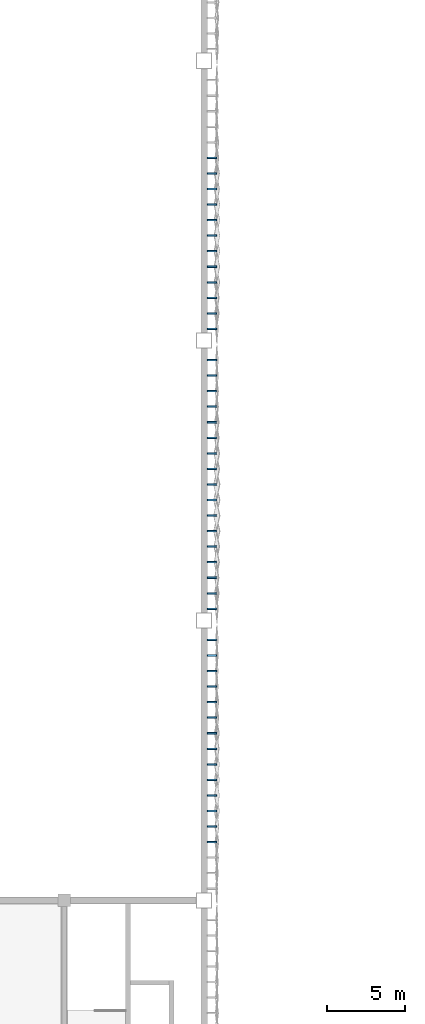
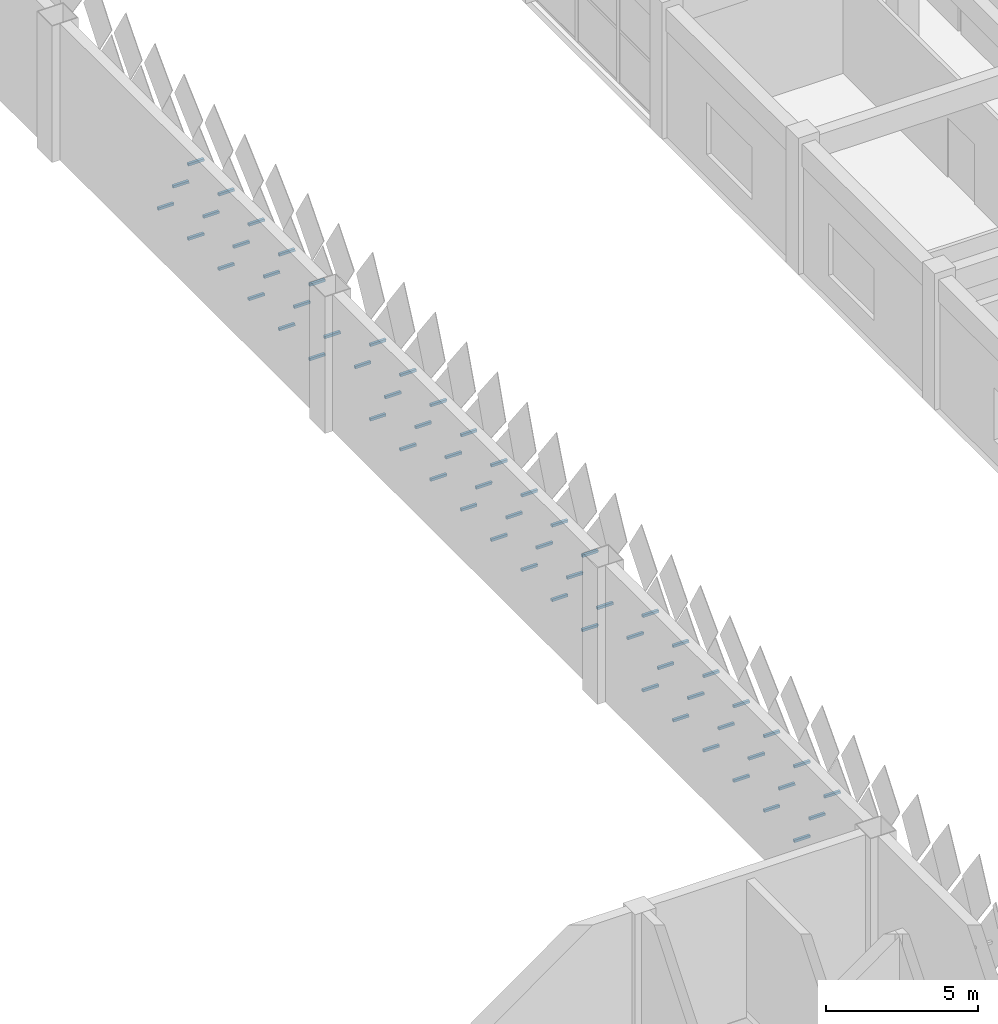
# One storey, part 143 of 185: 62 discrete accessories.
"""IFC4 building model written with IfcOpenShell, lengths in metres."""

from ifc_helpers import new_model, si_unit, direction, frame, origin, place, context, subcontext, project, spatial, polyline, outline, extrude, material, type_object, element, save


model = new_model("IFC4")

# Units and contexts
model_context = context("Model", 3, precision=1e-05, world=origin(), true_north=direction((0.0, 1.0)))
body_context = subcontext(model_context, "Body", "Model", "MODEL_VIEW")
ifc_project = project(units=[si_unit("LENGTHUNIT", "METRE"), si_unit("AREAUNIT", "SQUARE_METRE"), si_unit("VOLUMEUNIT", "CUBIC_METRE"), si_unit("PLANEANGLEUNIT", "RADIAN"), si_unit("MASSUNIT", "GRAM", prefix="KILO")], contexts=[model_context])

# Site, building, storey
site_placement = place(None, origin())
site = spatial("IfcSite", under=ifc_project, at=site_placement, CompositionType="ELEMENT")
building_placement = place(site_placement, origin())
building = spatial("IfcBuilding", under=site, at=building_placement, Name="Opaline Strait Convention Centre", CompositionType="ELEMENT")
storey_placement = place(building_placement, frame((0.0, 0.0, 6.0)))
storey = spatial("IfcBuildingStorey", under=building, at=storey_placement, Name="L01", CompositionType="ELEMENT", Elevation=6.0)

# Discrete accessories
ifc_material = material(Name="Steel Q355B", Category="steel")
discrete_accessory_type = type_object("IfcDiscreteAccessoryType", Name="Tile bracket 100x100 steel", PredefinedType="BRACKET", material=ifc_material)
discrete_accessory_1_placement = place(storey_placement, frame((261.199951171875, 77.699951171875, 1.39208984375), z_axis=(0.0, 1.0, 0.0), x_axis=(-1.0, 0.0, 0.0)))
element("IfcDiscreteAccessory", 1, at=discrete_accessory_1_placement, inside=storey, type_object=discrete_accessory_type, Name="Tile bracket XT14 E", PredefinedType="BRACKET", context=body_context, shape_type="SweptSolid", body=[
    extrude(outline(polyline([(0.0, -0.050048828125), (0.0, 0.050048828125), (-0.59375, 0.050048828125), (-0.606201171875, -0.050048828125), (0.0, -0.050048828125)])), origin(), (0.0, 0.0, 1.0), 0.10009765625),
])
discrete_accessory_2_placement = place(storey_placement, frame((261.199951171875, 79.699951171875, 1.39208984375), z_axis=(0.0, 1.0, 0.0), x_axis=(-1.0, 0.0, 0.0)))
element("IfcDiscreteAccessory", 2, at=discrete_accessory_2_placement, inside=storey, type_object=discrete_accessory_type, Name="Tile bracket XT13 E", PredefinedType="BRACKET", context=body_context, shape_type="SweptSolid", body=[
    extrude(outline(polyline([(0.0, -0.050048828125), (0.0, 0.050048828125), (-0.59423828125, 0.050048828125), (-0.605712890625, -0.050048828125), (0.0, -0.050048828125)])), origin(), (0.0, 0.0, 1.0), 0.10009765625),
])
discrete_accessory_3_placement = place(storey_placement, frame((261.199951171875, 81.699951171875, 1.39208984375), z_axis=(0.0, 1.0, 0.0), x_axis=(-1.0, 0.0, 0.0)))
element("IfcDiscreteAccessory", 3, at=discrete_accessory_3_placement, inside=storey, type_object=discrete_accessory_type, Name="Tile bracket XT10 E", PredefinedType="BRACKET", context=body_context, shape_type="SweptSolid", body=[
    extrude(outline(polyline([(0.0, -0.050048828125), (0.0, 0.050048828125), (-0.595703125, 0.050048828125), (-0.604248046875, -0.050048828125), (0.0, -0.050048828125)])), origin(), (0.0, 0.0, 1.0), 0.10009765625),
])
discrete_accessory_4_placement = place(storey_placement, frame((261.199951171875, 83.699951171875, 1.39208984375), z_axis=(0.0, 1.0, 0.0), x_axis=(-1.0, 0.0, 0.0)))
element("IfcDiscreteAccessory", 4, at=discrete_accessory_4_placement, inside=storey, type_object=discrete_accessory_type, Name="Tile bracket XT07 E", PredefinedType="BRACKET", context=body_context, shape_type="SweptSolid", body=[
    extrude(outline(polyline([(0.0, -0.050048828125), (0.0, 0.050048828125), (-0.596923828125, 0.050048828125), (-0.60302734375, -0.050048828125), (0.0, -0.050048828125)])), origin(), (0.0, 0.0, 1.0), 0.10009765625),
])
discrete_accessory_5_placement = place(storey_placement, frame((261.199951171875, 85.699951171875, 1.39208984375), z_axis=(0.0, 1.0, 0.0), x_axis=(-1.0, 0.0, 0.0)))
element("IfcDiscreteAccessory", 5, at=discrete_accessory_5_placement, inside=storey, type_object=discrete_accessory_type, Name="Tile bracket XT05 E", PredefinedType="BRACKET", context=body_context, shape_type="SweptSolid", body=[
    extrude(outline(polyline([(0.0, -0.050048828125), (0.0, 0.050048828125), (-0.597900390625, 0.050048828125), (-0.602294921875, -0.050048828125), (0.0, -0.050048828125)])), origin(), (0.0, 0.0, 1.0), 0.10009765625),
])
discrete_accessory_6_placement = place(storey_placement, frame((261.199951171875, 87.699951171875, 1.39208984375), z_axis=(0.0, 1.0, 0.0), x_axis=(-1.0, 0.0, 0.0)))
element("IfcDiscreteAccessory", 6, at=discrete_accessory_6_placement, inside=storey, type_object=discrete_accessory_type, Name="Tile bracket XT06 E", PredefinedType="BRACKET", context=body_context, shape_type="SweptSolid", body=[
    extrude(outline(polyline([(0.0, -0.050048828125), (0.0, 0.050048828125), (-0.6025390625, 0.050048828125), (-0.597412109375, -0.050048828125), (0.0, -0.050048828125)])), origin(), (0.0, 0.0, 1.0), 0.10009765625),
])
discrete_accessory_7_placement = place(storey_placement, frame((261.199951171875, 91.699951171875, 1.39208984375), z_axis=(0.0, 1.0, 0.0), x_axis=(-1.0, 0.0, 0.0)))
element("IfcDiscreteAccessory", 7, at=discrete_accessory_7_placement, inside=storey, type_object=discrete_accessory_type, Name="Tile bracket XT13 E", PredefinedType="BRACKET", context=body_context, shape_type="SweptSolid", body=[
    extrude(outline(polyline([(0.0, -0.050048828125), (0.0, 0.050048828125), (-0.605712890625, 0.050048828125), (-0.59423828125, -0.050048828125), (0.0, -0.050048828125)])), origin(), (0.0, 0.0, 1.0), 0.10009765625),
])
discrete_accessory_8_placement = place(storey_placement, frame((261.199951171875, 93.699951171875, 1.39208984375), z_axis=(0.0, 1.0, 0.0), x_axis=(-1.0, 0.0, 0.0)))
element("IfcDiscreteAccessory", 8, at=discrete_accessory_8_placement, inside=storey, type_object=discrete_accessory_type, Name="Tile bracket XT15 E", PredefinedType="BRACKET", context=body_context, shape_type="SweptSolid", body=[
    extrude(outline(polyline([(0.0, -0.050048828125), (0.0, 0.050048828125), (-0.606689453125, 0.050048828125), (-0.593505859375, -0.050048828125), (0.0, -0.050048828125)])), origin(), (0.0, 0.0, 1.0), 0.10009765625),
])
discrete_accessory_9_placement = place(storey_placement, frame((261.199951171875, 95.699951171875, 1.39208984375), z_axis=(0.0, 1.0, 0.0), x_axis=(-1.0, 0.0, 0.0)))
element("IfcDiscreteAccessory", 9, at=discrete_accessory_9_placement, inside=storey, type_object=discrete_accessory_type, Name="Tile bracket XT17 E", PredefinedType="BRACKET", context=body_context, shape_type="SweptSolid", body=[
    extrude(outline(polyline([(0.0, -0.050048828125), (0.0, 0.050048828125), (-0.607421875, 0.050048828125), (-0.592529296875, -0.050048828125), (0.0, -0.050048828125)])), origin(), (0.0, 0.0, 1.0), 0.10009765625),
])
discrete_accessory_10_placement = place(storey_placement, frame((261.199951171875, 97.699951171875, 1.39208984375), z_axis=(0.0, 1.0, 0.0), x_axis=(-1.0, 0.0, 0.0)))
element("IfcDiscreteAccessory", 10, at=discrete_accessory_10_placement, inside=storey, type_object=discrete_accessory_type, Name="Tile bracket XT16 E", PredefinedType="BRACKET", context=body_context, shape_type="SweptSolid", body=[
    extrude(outline(polyline([(0.0, -0.050048828125), (0.0, 0.050048828125), (-0.60693359375, 0.050048828125), (-0.593017578125, -0.050048828125), (0.0, -0.050048828125)])), origin(), (0.0, 0.0, 1.0), 0.10009765625),
])
discrete_accessory_11_placement = place(storey_placement, frame((261.199951171875, 99.699951171875, 1.39208984375), z_axis=(0.0, 1.0, 0.0), x_axis=(-1.0, 0.0, 0.0)))
element("IfcDiscreteAccessory", 11, at=discrete_accessory_11_placement, inside=storey, type_object=discrete_accessory_type, Name="Tile bracket XT13 E", PredefinedType="BRACKET", context=body_context, shape_type="SweptSolid", body=[
    extrude(outline(polyline([(0.0, -0.050048828125), (0.0, 0.050048828125), (-0.605712890625, 0.050048828125), (-0.59423828125, -0.050048828125), (0.0, -0.050048828125)])), origin(), (0.0, 0.0, 1.0), 0.10009765625),
])
discrete_accessory_12_placement = place(storey_placement, frame((261.199951171875, 101.699951171875, 1.39208984375), z_axis=(0.0, 1.0, 0.0), x_axis=(-1.0, 0.0, 0.0)))
element("IfcDiscreteAccessory", 12, at=discrete_accessory_12_placement, inside=storey, type_object=discrete_accessory_type, Name="Tile bracket XT08 E", PredefinedType="BRACKET", context=body_context, shape_type="SweptSolid", body=[
    extrude(outline(polyline([(0.0, -0.050048828125), (0.0, 0.050048828125), (-0.603515625, 0.050048828125), (-0.596435546875, -0.050048828125), (0.0, -0.050048828125)])), origin(), (0.0, 0.0, 1.0), 0.10009765625),
])
discrete_accessory_13_placement = place(storey_placement, frame((261.199951171875, 103.699951171875, 1.39208984375), z_axis=(0.0, 1.0, 0.0), x_axis=(-1.0, 0.0, 0.0)))
element("IfcDiscreteAccessory", 13, at=discrete_accessory_13_placement, inside=storey, type_object=discrete_accessory_type, Name="Tile bracket XT06 E", PredefinedType="BRACKET", context=body_context, shape_type="SweptSolid", body=[
    extrude(outline(polyline([(0.0, -0.050048828125), (0.0, 0.050048828125), (-0.6025390625, 0.050048828125), (-0.597412109375, -0.050048828125), (0.0, -0.050048828125)])), origin(), (0.0, 0.0, 1.0), 0.10009765625),
])
discrete_accessory_14_placement = place(storey_placement, frame((261.199951171875, 105.699951171875, 1.39208984375), z_axis=(0.0, 1.0, 0.0), x_axis=(-1.0, 0.0, 0.0)))
element("IfcDiscreteAccessory", 14, at=discrete_accessory_14_placement, inside=storey, type_object=discrete_accessory_type, Name="Tile bracket XT06 E", PredefinedType="BRACKET", context=body_context, shape_type="SweptSolid", body=[
    extrude(outline(polyline([(0.0, -0.050048828125), (0.0, 0.050048828125), (-0.597412109375, 0.050048828125), (-0.6025390625, -0.050048828125), (0.0, -0.050048828125)])), origin(), (0.0, 0.0, 1.0), 0.10009765625),
])
discrete_accessory_15_placement = place(storey_placement, frame((261.199951171875, 109.699951171875, 1.39208984375), z_axis=(0.0, 1.0, 0.0), x_axis=(-1.0, 0.0, 0.0)))
element("IfcDiscreteAccessory", 15, at=discrete_accessory_15_placement, inside=storey, type_object=discrete_accessory_type, Name="Tile bracket XT13 E", PredefinedType="BRACKET", context=body_context, shape_type="SweptSolid", body=[
    extrude(outline(polyline([(0.0, -0.050048828125), (0.0, 0.050048828125), (-0.59423828125, 0.050048828125), (-0.605712890625, -0.050048828125), (0.0, -0.050048828125)])), origin(), (0.0, 0.0, 1.0), 0.10009765625),
])
for number, where, z_axis, x_axis, name in (
    (16, (261.199951171875, 111.699951171875, 1.39208984375), (0.0, 1.0, 0.0), (-1.0, 0.0, 0.0), "Tile bracket XT16 E"),
    (17, (261.199951171875, 113.699951171875, 1.39208984375), (0.0, 1.0, 0.0), (-1.0, 0.0, 0.0), "Tile bracket XT16 E"),
):
    element("IfcDiscreteAccessory", number, at=place(storey_placement, frame(where, z_axis=z_axis, x_axis=x_axis)), inside=storey, type_object=discrete_accessory_type, Name=name, PredefinedType="BRACKET", context=body_context, shape_type="SweptSolid", body=[
        extrude(outline(polyline([(0.0, -0.050048828125), (0.0, 0.050048828125), (-0.593017578125, 0.050048828125), (-0.60693359375, -0.050048828125), (0.0, -0.050048828125)])), origin(), (0.0, 0.0, 1.0), 0.10009765625),
    ])
discrete_accessory_16_placement = place(storey_placement, frame((261.199951171875, 115.699951171875, 1.39208984375), z_axis=(0.0, 1.0, 0.0), x_axis=(-1.0, 0.0, 0.0)))
element("IfcDiscreteAccessory", 18, at=discrete_accessory_16_placement, inside=storey, type_object=discrete_accessory_type, Name="Tile bracket XT15 E", PredefinedType="BRACKET", context=body_context, shape_type="SweptSolid", body=[
    extrude(outline(polyline([(0.0, -0.050048828125), (0.0, 0.050048828125), (-0.593505859375, 0.050048828125), (-0.606689453125, -0.050048828125), (0.0, -0.050048828125)])), origin(), (0.0, 0.0, 1.0), 0.10009765625),
])
discrete_accessory_17_placement = place(storey_placement, frame((261.199951171875, 117.699951171875, 1.39208984375), z_axis=(0.0, 1.0, 0.0), x_axis=(-1.0, 0.0, 0.0)))
element("IfcDiscreteAccessory", 19, at=discrete_accessory_17_placement, inside=storey, type_object=discrete_accessory_type, Name="Tile bracket XT12 E", PredefinedType="BRACKET", context=body_context, shape_type="SweptSolid", body=[
    extrude(outline(polyline([(0.0, -0.050048828125), (0.0, 0.050048828125), (-0.5947265625, 0.050048828125), (-0.605224609375, -0.050048828125), (0.0, -0.050048828125)])), origin(), (0.0, 0.0, 1.0), 0.10009765625),
])
discrete_accessory_18_placement = place(storey_placement, frame((261.199951171875, 119.699951171875, 1.39208984375), z_axis=(0.0, 1.0, 0.0), x_axis=(-1.0, 0.0, 0.0)))
element("IfcDiscreteAccessory", 20, at=discrete_accessory_18_placement, inside=storey, type_object=discrete_accessory_type, Name="Tile bracket XT07 E", PredefinedType="BRACKET", context=body_context, shape_type="SweptSolid", body=[
    extrude(outline(polyline([(0.0, -0.050048828125), (0.0, 0.050048828125), (-0.596923828125, 0.050048828125), (-0.60302734375, -0.050048828125), (0.0, -0.050048828125)])), origin(), (0.0, 0.0, 1.0), 0.10009765625),
])
discrete_accessory_19_placement = place(storey_placement, frame((261.199951171875, 76.699951171875, 2.89208984375), z_axis=(0.0, 1.0, 0.0), x_axis=(-1.0, 0.0, 0.0)))
element("IfcDiscreteAccessory", 21, at=discrete_accessory_19_placement, inside=storey, type_object=discrete_accessory_type, Name="Tile bracket XT12 E", PredefinedType="BRACKET", context=body_context, shape_type="SweptSolid", body=[
    extrude(outline(polyline([(0.0, -0.050048828125), (0.0, 0.050048828125), (-0.5947265625, 0.050048828125), (-0.605224609375, -0.050048828125), (0.0, -0.050048828125)])), origin(), (0.0, 0.0, 1.0), 0.10009765625),
])
discrete_accessory_20_placement = place(storey_placement, frame((261.199951171875, 78.699951171875, 2.89208984375), z_axis=(0.0, 1.0, 0.0), x_axis=(-1.0, 0.0, 0.0)))
element("IfcDiscreteAccessory", 22, at=discrete_accessory_20_placement, inside=storey, type_object=discrete_accessory_type, Name="Tile bracket XT14 E", PredefinedType="BRACKET", context=body_context, shape_type="SweptSolid", body=[
    extrude(outline(polyline([(0.0, -0.050048828125), (0.0, 0.050048828125), (-0.59375, 0.050048828125), (-0.606201171875, -0.050048828125), (0.0, -0.050048828125)])), origin(), (0.0, 0.0, 1.0), 0.10009765625),
])
discrete_accessory_21_placement = place(storey_placement, frame((261.199951171875, 80.699951171875, 2.89208984375), z_axis=(0.0, 1.0, 0.0), x_axis=(-1.0, 0.0, 0.0)))
element("IfcDiscreteAccessory", 23, at=discrete_accessory_21_placement, inside=storey, type_object=discrete_accessory_type, Name="Tile bracket XT13 E", PredefinedType="BRACKET", context=body_context, shape_type="SweptSolid", body=[
    extrude(outline(polyline([(0.0, -0.050048828125), (0.0, 0.050048828125), (-0.59423828125, 0.050048828125), (-0.605712890625, -0.050048828125), (0.0, -0.050048828125)])), origin(), (0.0, 0.0, 1.0), 0.10009765625),
])
discrete_accessory_22_placement = place(storey_placement, frame((261.199951171875, 82.699951171875, 2.89208984375), z_axis=(0.0, 1.0, 0.0), x_axis=(-1.0, 0.0, 0.0)))
element("IfcDiscreteAccessory", 24, at=discrete_accessory_22_placement, inside=storey, type_object=discrete_accessory_type, Name="Tile bracket XT11 E", PredefinedType="BRACKET", context=body_context, shape_type="SweptSolid", body=[
    extrude(outline(polyline([(0.0, -0.050048828125), (0.0, 0.050048828125), (-0.59521484375, 0.050048828125), (-0.604736328125, -0.050048828125), (0.0, -0.050048828125)])), origin(), (0.0, 0.0, 1.0), 0.10009765625),
])
discrete_accessory_23_placement = place(storey_placement, frame((261.199951171875, 84.699951171875, 2.89208984375), z_axis=(0.0, 1.0, 0.0), x_axis=(-1.0, 0.0, 0.0)))
element("IfcDiscreteAccessory", 25, at=discrete_accessory_23_placement, inside=storey, type_object=discrete_accessory_type, Name="Tile bracket XT07 E", PredefinedType="BRACKET", context=body_context, shape_type="SweptSolid", body=[
    extrude(outline(polyline([(0.0, -0.050048828125), (0.0, 0.050048828125), (-0.596923828125, 0.050048828125), (-0.60302734375, -0.050048828125), (0.0, -0.050048828125)])), origin(), (0.0, 0.0, 1.0), 0.10009765625),
])
discrete_accessory_24_placement = place(storey_placement, frame((261.199951171875, 86.699951171875, 2.89208984375), z_axis=(0.0, 1.0, 0.0), x_axis=(-1.0, 0.0, 0.0)))
element("IfcDiscreteAccessory", 26, at=discrete_accessory_24_placement, inside=storey, type_object=discrete_accessory_type, Name="Tile bracket XT05 E", PredefinedType="BRACKET", context=body_context, shape_type="SweptSolid", body=[
    extrude(outline(polyline([(0.0, -0.050048828125), (0.0, 0.050048828125), (-0.597900390625, 0.050048828125), (-0.602294921875, -0.050048828125), (0.0, -0.050048828125)])), origin(), (0.0, 0.0, 1.0), 0.10009765625),
])
discrete_accessory_25_placement = place(storey_placement, frame((261.199951171875, 88.699951171875, 2.89208984375), z_axis=(0.0, 1.0, 0.0), x_axis=(-1.0, 0.0, 0.0)))
element("IfcDiscreteAccessory", 27, at=discrete_accessory_25_placement, inside=storey, type_object=discrete_accessory_type, Name="Tile bracket XT06 E", PredefinedType="BRACKET", context=body_context, shape_type="SweptSolid", body=[
    extrude(outline(polyline([(0.0, -0.050048828125), (0.0, 0.050048828125), (-0.6025390625, 0.050048828125), (-0.597412109375, -0.050048828125), (0.0, -0.050048828125)])), origin(), (0.0, 0.0, 1.0), 0.10009765625),
])
discrete_accessory_26_placement = place(storey_placement, frame((261.199951171875, 90.699951171875, 2.89208984375), z_axis=(0.0, 1.0, 0.0), x_axis=(-1.0, 0.0, 0.0)))
element("IfcDiscreteAccessory", 28, at=discrete_accessory_26_placement, inside=storey, type_object=discrete_accessory_type, Name="Tile bracket XT08 E", PredefinedType="BRACKET", context=body_context, shape_type="SweptSolid", body=[
    extrude(outline(polyline([(0.0, -0.050048828125), (0.0, 0.050048828125), (-0.603515625, 0.050048828125), (-0.596435546875, -0.050048828125), (0.0, -0.050048828125)])), origin(), (0.0, 0.0, 1.0), 0.10009765625),
])
discrete_accessory_27_placement = place(storey_placement, frame((261.199951171875, 92.699951171875, 2.89208984375), z_axis=(0.0, 1.0, 0.0), x_axis=(-1.0, 0.0, 0.0)))
element("IfcDiscreteAccessory", 29, at=discrete_accessory_27_placement, inside=storey, type_object=discrete_accessory_type, Name="Tile bracket XT12 E", PredefinedType="BRACKET", context=body_context, shape_type="SweptSolid", body=[
    extrude(outline(polyline([(0.0, -0.050048828125), (0.0, 0.050048828125), (-0.605224609375, 0.050048828125), (-0.5947265625, -0.050048828125), (0.0, -0.050048828125)])), origin(), (0.0, 0.0, 1.0), 0.10009765625),
])
discrete_accessory_28_placement = place(storey_placement, frame((261.199951171875, 94.699951171875, 2.89208984375), z_axis=(0.0, 1.0, 0.0), x_axis=(-1.0, 0.0, 0.0)))
element("IfcDiscreteAccessory", 30, at=discrete_accessory_28_placement, inside=storey, type_object=discrete_accessory_type, Name="Tile bracket XT16 E", PredefinedType="BRACKET", context=body_context, shape_type="SweptSolid", body=[
    extrude(outline(polyline([(0.0, -0.050048828125), (0.0, 0.050048828125), (-0.60693359375, 0.050048828125), (-0.593017578125, -0.050048828125), (0.0, -0.050048828125)])), origin(), (0.0, 0.0, 1.0), 0.10009765625),
])
discrete_accessory_29_placement = place(storey_placement, frame((261.199951171875, 96.699951171875, 2.89208984375), z_axis=(0.0, 1.0, 0.0), x_axis=(-1.0, 0.0, 0.0)))
element("IfcDiscreteAccessory", 31, at=discrete_accessory_29_placement, inside=storey, type_object=discrete_accessory_type, Name="Tile bracket XT17 E", PredefinedType="BRACKET", context=body_context, shape_type="SweptSolid", body=[
    extrude(outline(polyline([(0.0, -0.050048828125), (0.0, 0.050048828125), (-0.607421875, 0.050048828125), (-0.592529296875, -0.050048828125), (0.0, -0.050048828125)])), origin(), (0.0, 0.0, 1.0), 0.10009765625),
])
discrete_accessory_30_placement = place(storey_placement, frame((261.199951171875, 98.699951171875, 2.89208984375), z_axis=(0.0, 1.0, 0.0), x_axis=(-1.0, 0.0, 0.0)))
element("IfcDiscreteAccessory", 32, at=discrete_accessory_30_placement, inside=storey, type_object=discrete_accessory_type, Name="Tile bracket XT16 E", PredefinedType="BRACKET", context=body_context, shape_type="SweptSolid", body=[
    extrude(outline(polyline([(0.0, -0.050048828125), (0.0, 0.050048828125), (-0.60693359375, 0.050048828125), (-0.593017578125, -0.050048828125), (0.0, -0.050048828125)])), origin(), (0.0, 0.0, 1.0), 0.10009765625),
])
discrete_accessory_31_placement = place(storey_placement, frame((261.199951171875, 100.699951171875, 2.89208984375), z_axis=(0.0, 1.0, 0.0), x_axis=(-1.0, 0.0, 0.0)))
element("IfcDiscreteAccessory", 33, at=discrete_accessory_31_placement, inside=storey, type_object=discrete_accessory_type, Name="Tile bracket XT13 E", PredefinedType="BRACKET", context=body_context, shape_type="SweptSolid", body=[
    extrude(outline(polyline([(0.0, -0.050048828125), (0.0, 0.050048828125), (-0.605712890625, 0.050048828125), (-0.59423828125, -0.050048828125), (0.0, -0.050048828125)])), origin(), (0.0, 0.0, 1.0), 0.10009765625),
])
discrete_accessory_32_placement = place(storey_placement, frame((261.199951171875, 102.699951171875, 2.89208984375), z_axis=(0.0, 1.0, 0.0), x_axis=(-1.0, 0.0, 0.0)))
element("IfcDiscreteAccessory", 34, at=discrete_accessory_32_placement, inside=storey, type_object=discrete_accessory_type, Name="Tile bracket XT08 E", PredefinedType="BRACKET", context=body_context, shape_type="SweptSolid", body=[
    extrude(outline(polyline([(0.0, -0.050048828125), (0.0, 0.050048828125), (-0.603515625, 0.050048828125), (-0.596435546875, -0.050048828125), (0.0, -0.050048828125)])), origin(), (0.0, 0.0, 1.0), 0.10009765625),
])
discrete_accessory_33_placement = place(storey_placement, frame((261.199951171875, 104.699951171875, 2.89208984375), z_axis=(0.0, 1.0, 0.0), x_axis=(-1.0, 0.0, 0.0)))
element("IfcDiscreteAccessory", 35, at=discrete_accessory_33_placement, inside=storey, type_object=discrete_accessory_type, Name="Tile bracket XT06 E", PredefinedType="BRACKET", context=body_context, shape_type="SweptSolid", body=[
    extrude(outline(polyline([(0.0, -0.050048828125), (0.0, 0.050048828125), (-0.6025390625, 0.050048828125), (-0.597412109375, -0.050048828125), (0.0, -0.050048828125)])), origin(), (0.0, 0.0, 1.0), 0.10009765625),
])
discrete_accessory_34_placement = place(storey_placement, frame((261.199951171875, 106.699951171875, 2.89208984375), z_axis=(0.0, 1.0, 0.0), x_axis=(-1.0, 0.0, 0.0)))
element("IfcDiscreteAccessory", 36, at=discrete_accessory_34_placement, inside=storey, type_object=discrete_accessory_type, Name="Tile bracket XT06 E", PredefinedType="BRACKET", context=body_context, shape_type="SweptSolid", body=[
    extrude(outline(polyline([(0.0, -0.050048828125), (0.0, 0.050048828125), (-0.597412109375, 0.050048828125), (-0.6025390625, -0.050048828125), (0.0, -0.050048828125)])), origin(), (0.0, 0.0, 1.0), 0.10009765625),
])
discrete_accessory_35_placement = place(storey_placement, frame((261.199951171875, 108.699951171875, 2.89208984375), z_axis=(0.0, 1.0, 0.0), x_axis=(-1.0, 0.0, 0.0)))
element("IfcDiscreteAccessory", 37, at=discrete_accessory_35_placement, inside=storey, type_object=discrete_accessory_type, Name="Tile bracket XT09 E", PredefinedType="BRACKET", context=body_context, shape_type="SweptSolid", body=[
    extrude(outline(polyline([(0.0, -0.050048828125), (0.0, 0.050048828125), (-0.595947265625, 0.050048828125), (-0.60400390625, -0.050048828125), (0.0, -0.050048828125)])), origin(), (0.0, 0.0, 1.0), 0.10009765625),
])
discrete_accessory_36_placement = place(storey_placement, frame((261.199951171875, 110.699951171875, 2.89208984375), z_axis=(0.0, 1.0, 0.0), x_axis=(-1.0, 0.0, 0.0)))
element("IfcDiscreteAccessory", 38, at=discrete_accessory_36_placement, inside=storey, type_object=discrete_accessory_type, Name="Tile bracket XT13 E", PredefinedType="BRACKET", context=body_context, shape_type="SweptSolid", body=[
    extrude(outline(polyline([(0.0, -0.050048828125), (0.0, 0.050048828125), (-0.59423828125, 0.050048828125), (-0.605712890625, -0.050048828125), (0.0, -0.050048828125)])), origin(), (0.0, 0.0, 1.0), 0.10009765625),
])
for number, where, z_axis, x_axis, name in (
    (39, (261.199951171875, 112.699951171875, 2.89208984375), (0.0, 1.0, 0.0), (-1.0, 0.0, 0.0), "Tile bracket XT16 E"),
    (40, (261.199951171875, 114.699951171875, 2.89208984375), (0.0, 1.0, 0.0), (-1.0, 0.0, 0.0), "Tile bracket XT16 E"),
):
    element("IfcDiscreteAccessory", number, at=place(storey_placement, frame(where, z_axis=z_axis, x_axis=x_axis)), inside=storey, type_object=discrete_accessory_type, Name=name, PredefinedType="BRACKET", context=body_context, shape_type="SweptSolid", body=[
        extrude(outline(polyline([(0.0, -0.050048828125), (0.0, 0.050048828125), (-0.593017578125, 0.050048828125), (-0.60693359375, -0.050048828125), (0.0, -0.050048828125)])), origin(), (0.0, 0.0, 1.0), 0.10009765625),
    ])
discrete_accessory_37_placement = place(storey_placement, frame((261.199951171875, 116.699951171875, 2.89208984375), z_axis=(0.0, 1.0, 0.0), x_axis=(-1.0, 0.0, 0.0)))
element("IfcDiscreteAccessory", 41, at=discrete_accessory_37_placement, inside=storey, type_object=discrete_accessory_type, Name="Tile bracket XT15 E", PredefinedType="BRACKET", context=body_context, shape_type="SweptSolid", body=[
    extrude(outline(polyline([(0.0, -0.050048828125), (0.0, 0.050048828125), (-0.593505859375, 0.050048828125), (-0.606689453125, -0.050048828125), (0.0, -0.050048828125)])), origin(), (0.0, 0.0, 1.0), 0.10009765625),
])
discrete_accessory_38_placement = place(storey_placement, frame((261.199951171875, 118.699951171875, 2.89208984375), z_axis=(0.0, 1.0, 0.0), x_axis=(-1.0, 0.0, 0.0)))
element("IfcDiscreteAccessory", 42, at=discrete_accessory_38_placement, inside=storey, type_object=discrete_accessory_type, Name="Tile bracket XT12 E", PredefinedType="BRACKET", context=body_context, shape_type="SweptSolid", body=[
    extrude(outline(polyline([(0.0, -0.050048828125), (0.0, 0.050048828125), (-0.5947265625, 0.050048828125), (-0.605224609375, -0.050048828125), (0.0, -0.050048828125)])), origin(), (0.0, 0.0, 1.0), 0.10009765625),
])
discrete_accessory_39_placement = place(storey_placement, frame((261.199951171875, 75.699951171875, 4.39208984375), z_axis=(0.0, 1.0, 0.0), x_axis=(-1.0, 0.0, 0.0)))
element("IfcDiscreteAccessory", 43, at=discrete_accessory_39_placement, inside=storey, type_object=discrete_accessory_type, Name="Tile bracket XT10 E", PredefinedType="BRACKET", context=body_context, shape_type="SweptSolid", body=[
    extrude(outline(polyline([(0.0, -0.050048828125), (0.0, 0.050048828125), (-0.595703125, 0.050048828125), (-0.604248046875, -0.050048828125), (0.0, -0.050048828125)])), origin(), (0.0, 0.0, 1.0), 0.10009765625),
])
discrete_accessory_40_placement = place(storey_placement, frame((261.199951171875, 77.699951171875, 4.39208984375), z_axis=(0.0, 1.0, 0.0), x_axis=(-1.0, 0.0, 0.0)))
element("IfcDiscreteAccessory", 44, at=discrete_accessory_40_placement, inside=storey, type_object=discrete_accessory_type, Name="Tile bracket XT13 E", PredefinedType="BRACKET", context=body_context, shape_type="SweptSolid", body=[
    extrude(outline(polyline([(0.0, -0.050048828125), (0.0, 0.050048828125), (-0.59423828125, 0.050048828125), (-0.605712890625, -0.050048828125), (0.0, -0.050048828125)])), origin(), (0.0, 0.0, 1.0), 0.10009765625),
])
discrete_accessory_41_placement = place(storey_placement, frame((261.199951171875, 79.699951171875, 4.39208984375), z_axis=(0.0, 1.0, 0.0), x_axis=(-1.0, 0.0, 0.0)))
element("IfcDiscreteAccessory", 45, at=discrete_accessory_41_placement, inside=storey, type_object=discrete_accessory_type, Name="Tile bracket XT14 E", PredefinedType="BRACKET", context=body_context, shape_type="SweptSolid", body=[
    extrude(outline(polyline([(0.0, -0.050048828125), (0.0, 0.050048828125), (-0.59375, 0.050048828125), (-0.606201171875, -0.050048828125), (0.0, -0.050048828125)])), origin(), (0.0, 0.0, 1.0), 0.10009765625),
])
discrete_accessory_42_placement = place(storey_placement, frame((261.199951171875, 81.699951171875, 4.39208984375), z_axis=(0.0, 1.0, 0.0), x_axis=(-1.0, 0.0, 0.0)))
element("IfcDiscreteAccessory", 46, at=discrete_accessory_42_placement, inside=storey, type_object=discrete_accessory_type, Name="Tile bracket XT13 E", PredefinedType="BRACKET", context=body_context, shape_type="SweptSolid", body=[
    extrude(outline(polyline([(0.0, -0.050048828125), (0.0, 0.050048828125), (-0.59423828125, 0.050048828125), (-0.605712890625, -0.050048828125), (0.0, -0.050048828125)])), origin(), (0.0, 0.0, 1.0), 0.10009765625),
])
discrete_accessory_43_placement = place(storey_placement, frame((261.199951171875, 83.699951171875, 4.39208984375), z_axis=(0.0, 1.0, 0.0), x_axis=(-1.0, 0.0, 0.0)))
element("IfcDiscreteAccessory", 47, at=discrete_accessory_43_placement, inside=storey, type_object=discrete_accessory_type, Name="Tile bracket XT12 E", PredefinedType="BRACKET", context=body_context, shape_type="SweptSolid", body=[
    extrude(outline(polyline([(0.0, -0.050048828125), (0.0, 0.050048828125), (-0.5947265625, 0.050048828125), (-0.605224609375, -0.050048828125), (0.0, -0.050048828125)])), origin(), (0.0, 0.0, 1.0), 0.10009765625),
])
discrete_accessory_44_placement = place(storey_placement, frame((261.199951171875, 85.699951171875, 4.39208984375), z_axis=(0.0, 1.0, 0.0), x_axis=(-1.0, 0.0, 0.0)))
element("IfcDiscreteAccessory", 48, at=discrete_accessory_44_placement, inside=storey, type_object=discrete_accessory_type, Name="Tile bracket XT08 E", PredefinedType="BRACKET", context=body_context, shape_type="SweptSolid", body=[
    extrude(outline(polyline([(0.0, -0.050048828125), (0.0, 0.050048828125), (-0.596435546875, 0.050048828125), (-0.603515625, -0.050048828125), (0.0, -0.050048828125)])), origin(), (0.0, 0.0, 1.0), 0.10009765625),
])
discrete_accessory_45_placement = place(storey_placement, frame((261.199951171875, 87.699951171875, 4.39208984375), z_axis=(0.0, 1.0, 0.0), x_axis=(-1.0, 0.0, 0.0)))
element("IfcDiscreteAccessory", 49, at=discrete_accessory_45_placement, inside=storey, type_object=discrete_accessory_type, Name="Tile bracket XT06 E", PredefinedType="BRACKET", context=body_context, shape_type="SweptSolid", body=[
    extrude(outline(polyline([(0.0, -0.050048828125), (0.0, 0.050048828125), (-0.597412109375, 0.050048828125), (-0.6025390625, -0.050048828125), (0.0, -0.050048828125)])), origin(), (0.0, 0.0, 1.0), 0.10009765625),
])
discrete_accessory_46_placement = place(storey_placement, frame((261.199951171875, 91.699951171875, 4.39208984375), z_axis=(0.0, 1.0, 0.0), x_axis=(-1.0, 0.0, 0.0)))
element("IfcDiscreteAccessory", 50, at=discrete_accessory_46_placement, inside=storey, type_object=discrete_accessory_type, Name="Tile bracket XT08 E", PredefinedType="BRACKET", context=body_context, shape_type="SweptSolid", body=[
    extrude(outline(polyline([(0.0, -0.050048828125), (0.0, 0.050048828125), (-0.603515625, 0.050048828125), (-0.596435546875, -0.050048828125), (0.0, -0.050048828125)])), origin(), (0.0, 0.0, 1.0), 0.10009765625),
])
discrete_accessory_47_placement = place(storey_placement, frame((261.199951171875, 93.699951171875, 4.39208984375), z_axis=(0.0, 1.0, 0.0), x_axis=(-1.0, 0.0, 0.0)))
element("IfcDiscreteAccessory", 51, at=discrete_accessory_47_placement, inside=storey, type_object=discrete_accessory_type, Name="Tile bracket XT12 E", PredefinedType="BRACKET", context=body_context, shape_type="SweptSolid", body=[
    extrude(outline(polyline([(0.0, -0.050048828125), (0.0, 0.050048828125), (-0.605224609375, 0.050048828125), (-0.5947265625, -0.050048828125), (0.0, -0.050048828125)])), origin(), (0.0, 0.0, 1.0), 0.10009765625),
])
discrete_accessory_48_placement = place(storey_placement, frame((261.199951171875, 95.699951171875, 4.39208984375), z_axis=(0.0, 1.0, 0.0), x_axis=(-1.0, 0.0, 0.0)))
element("IfcDiscreteAccessory", 52, at=discrete_accessory_48_placement, inside=storey, type_object=discrete_accessory_type, Name="Tile bracket XT16 E", PredefinedType="BRACKET", context=body_context, shape_type="SweptSolid", body=[
    extrude(outline(polyline([(0.0, -0.050048828125), (0.0, 0.050048828125), (-0.60693359375, 0.050048828125), (-0.593017578125, -0.050048828125), (0.0, -0.050048828125)])), origin(), (0.0, 0.0, 1.0), 0.10009765625),
])
discrete_accessory_49_placement = place(storey_placement, frame((261.199951171875, 97.699951171875, 4.39208984375), z_axis=(0.0, 1.0, 0.0), x_axis=(-1.0, 0.0, 0.0)))
element("IfcDiscreteAccessory", 53, at=discrete_accessory_49_placement, inside=storey, type_object=discrete_accessory_type, Name="Tile bracket XT17 E", PredefinedType="BRACKET", context=body_context, shape_type="SweptSolid", body=[
    extrude(outline(polyline([(0.0, -0.050048828125), (0.0, 0.050048828125), (-0.607421875, 0.050048828125), (-0.592529296875, -0.050048828125), (0.0, -0.050048828125)])), origin(), (0.0, 0.0, 1.0), 0.10009765625),
])
discrete_accessory_50_placement = place(storey_placement, frame((261.199951171875, 99.699951171875, 4.39208984375), z_axis=(0.0, 1.0, 0.0), x_axis=(-1.0, 0.0, 0.0)))
element("IfcDiscreteAccessory", 54, at=discrete_accessory_50_placement, inside=storey, type_object=discrete_accessory_type, Name="Tile bracket XT16 E", PredefinedType="BRACKET", context=body_context, shape_type="SweptSolid", body=[
    extrude(outline(polyline([(0.0, -0.050048828125), (0.0, 0.050048828125), (-0.60693359375, 0.050048828125), (-0.593017578125, -0.050048828125), (0.0, -0.050048828125)])), origin(), (0.0, 0.0, 1.0), 0.10009765625),
])
discrete_accessory_51_placement = place(storey_placement, frame((261.199951171875, 101.699951171875, 4.39208984375), z_axis=(0.0, 1.0, 0.0), x_axis=(-1.0, 0.0, 0.0)))
element("IfcDiscreteAccessory", 55, at=discrete_accessory_51_placement, inside=storey, type_object=discrete_accessory_type, Name="Tile bracket XT13 E", PredefinedType="BRACKET", context=body_context, shape_type="SweptSolid", body=[
    extrude(outline(polyline([(0.0, -0.050048828125), (0.0, 0.050048828125), (-0.605712890625, 0.050048828125), (-0.59423828125, -0.050048828125), (0.0, -0.050048828125)])), origin(), (0.0, 0.0, 1.0), 0.10009765625),
])
discrete_accessory_52_placement = place(storey_placement, frame((261.199951171875, 103.699951171875, 4.39208984375), z_axis=(0.0, 1.0, 0.0), x_axis=(-1.0, 0.0, 0.0)))
element("IfcDiscreteAccessory", 56, at=discrete_accessory_52_placement, inside=storey, type_object=discrete_accessory_type, Name="Tile bracket XT09 E", PredefinedType="BRACKET", context=body_context, shape_type="SweptSolid", body=[
    extrude(outline(polyline([(0.0, -0.050048828125), (0.0, 0.050048828125), (-0.60400390625, 0.050048828125), (-0.595947265625, -0.050048828125), (0.0, -0.050048828125)])), origin(), (0.0, 0.0, 1.0), 0.10009765625),
])
discrete_accessory_53_placement = place(storey_placement, frame((261.199951171875, 105.699951171875, 4.39208984375), z_axis=(0.0, 1.0, 0.0), x_axis=(-1.0, 0.0, 0.0)))
element("IfcDiscreteAccessory", 57, at=discrete_accessory_53_placement, inside=storey, type_object=discrete_accessory_type, Name="Tile bracket XT06 E", PredefinedType="BRACKET", context=body_context, shape_type="SweptSolid", body=[
    extrude(outline(polyline([(0.0, -0.050048828125), (0.0, 0.050048828125), (-0.6025390625, 0.050048828125), (-0.597412109375, -0.050048828125), (0.0, -0.050048828125)])), origin(), (0.0, 0.0, 1.0), 0.10009765625),
])
discrete_accessory_54_placement = place(storey_placement, frame((261.199951171875, 109.699951171875, 4.39208984375), z_axis=(0.0, 1.0, 0.0), x_axis=(-1.0, 0.0, 0.0)))
element("IfcDiscreteAccessory", 58, at=discrete_accessory_54_placement, inside=storey, type_object=discrete_accessory_type, Name="Tile bracket XT08 E", PredefinedType="BRACKET", context=body_context, shape_type="SweptSolid", body=[
    extrude(outline(polyline([(0.0, -0.050048828125), (0.0, 0.050048828125), (-0.596435546875, 0.050048828125), (-0.603515625, -0.050048828125), (0.0, -0.050048828125)])), origin(), (0.0, 0.0, 1.0), 0.10009765625),
])
discrete_accessory_55_placement = place(storey_placement, frame((261.199951171875, 111.699951171875, 4.39208984375), z_axis=(0.0, 1.0, 0.0), x_axis=(-1.0, 0.0, 0.0)))
element("IfcDiscreteAccessory", 59, at=discrete_accessory_55_placement, inside=storey, type_object=discrete_accessory_type, Name="Tile bracket XT13 E", PredefinedType="BRACKET", context=body_context, shape_type="SweptSolid", body=[
    extrude(outline(polyline([(0.0, -0.050048828125), (0.0, 0.050048828125), (-0.59423828125, 0.050048828125), (-0.605712890625, -0.050048828125), (0.0, -0.050048828125)])), origin(), (0.0, 0.0, 1.0), 0.10009765625),
])
discrete_accessory_56_placement = place(storey_placement, frame((261.199951171875, 113.699951171875, 4.39208984375), z_axis=(0.0, 1.0, 0.0), x_axis=(-1.0, 0.0, 0.0)))
element("IfcDiscreteAccessory", 60, at=discrete_accessory_56_placement, inside=storey, type_object=discrete_accessory_type, Name="Tile bracket XT15 E", PredefinedType="BRACKET", context=body_context, shape_type="SweptSolid", body=[
    extrude(outline(polyline([(0.0, -0.050048828125), (0.0, 0.050048828125), (-0.593505859375, 0.050048828125), (-0.606689453125, -0.050048828125), (0.0, -0.050048828125)])), origin(), (0.0, 0.0, 1.0), 0.10009765625),
])
discrete_accessory_57_placement = place(storey_placement, frame((261.199951171875, 115.699951171875, 4.39208984375), z_axis=(0.0, 1.0, 0.0), x_axis=(-1.0, 0.0, 0.0)))
element("IfcDiscreteAccessory", 61, at=discrete_accessory_57_placement, inside=storey, type_object=discrete_accessory_type, Name="Tile bracket XT16 E", PredefinedType="BRACKET", context=body_context, shape_type="SweptSolid", body=[
    extrude(outline(polyline([(0.0, -0.050048828125), (0.0, 0.050048828125), (-0.593017578125, 0.050048828125), (-0.60693359375, -0.050048828125), (0.0, -0.050048828125)])), origin(), (0.0, 0.0, 1.0), 0.10009765625),
])
discrete_accessory_58_placement = place(storey_placement, frame((261.199951171875, 117.699951171875, 4.39208984375), z_axis=(0.0, 1.0, 0.0), x_axis=(-1.0, 0.0, 0.0)))
element("IfcDiscreteAccessory", 62, at=discrete_accessory_58_placement, inside=storey, type_object=discrete_accessory_type, Name="Tile bracket XT15 E", PredefinedType="BRACKET", context=body_context, shape_type="SweptSolid", body=[
    extrude(outline(polyline([(0.0, -0.050048828125), (0.0, 0.050048828125), (-0.593505859375, 0.050048828125), (-0.606689453125, -0.050048828125), (0.0, -0.050048828125)])), origin(), (0.0, 0.0, 1.0), 0.10009765625),
])

save(model, "model.ifc")
